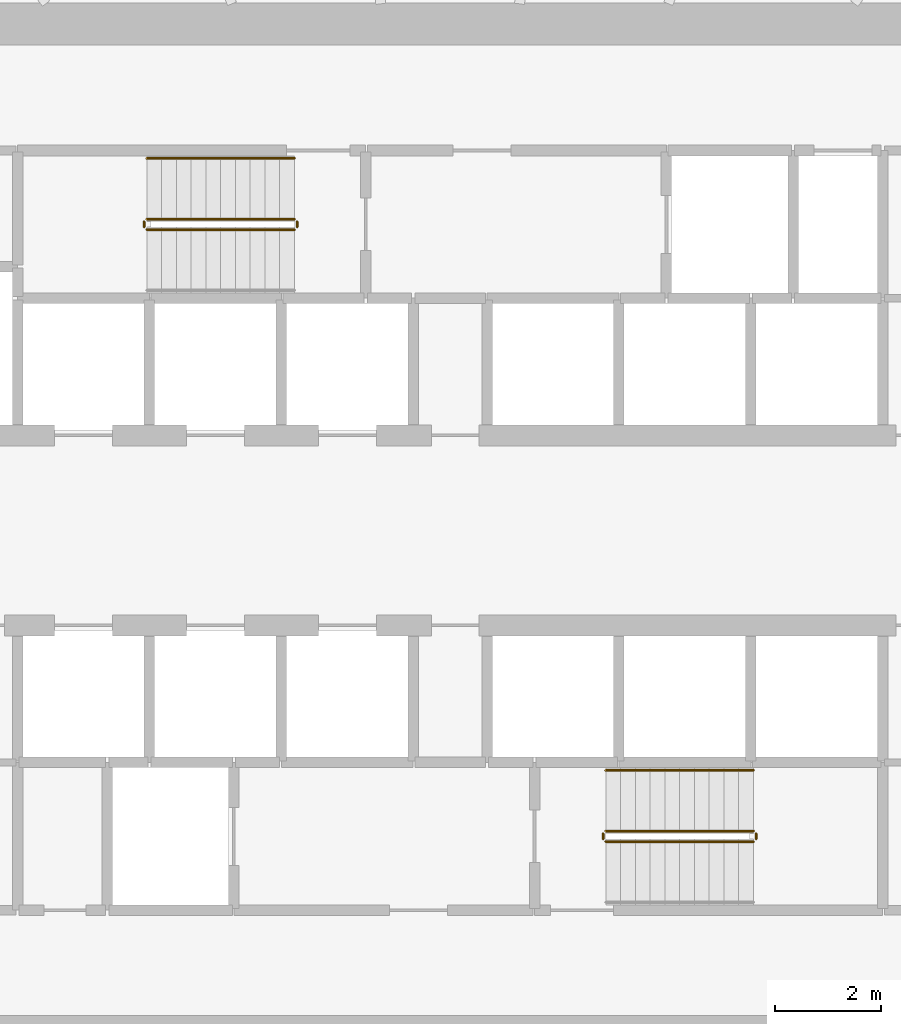
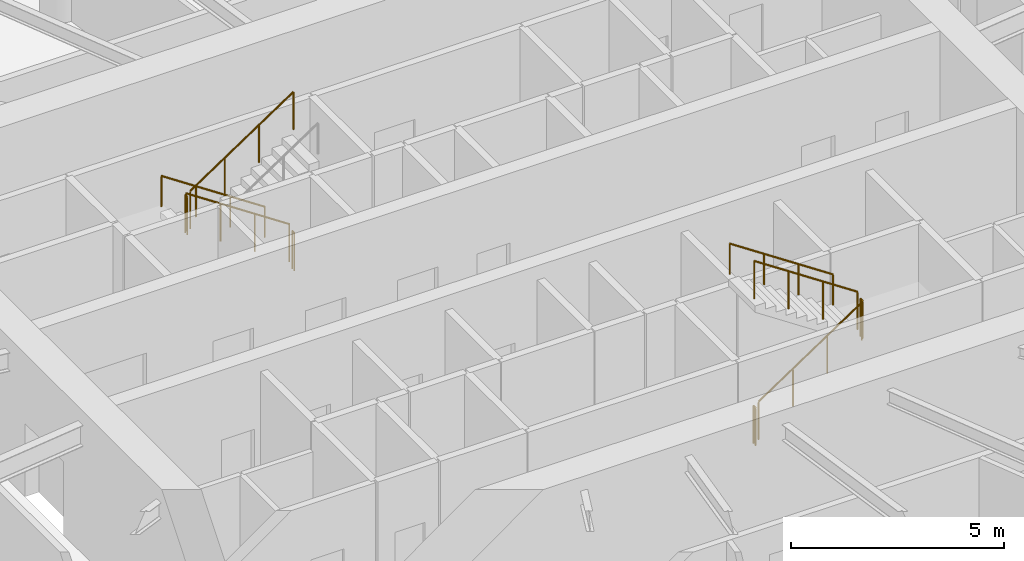
# One storey, part 16 of 17: 10 railings.
"""IFC4 building model written with IfcOpenShell, lengths in metres."""

from ifc_helpers import new_model, si_unit, direction, frame, origin, origin_2d, place, context, subcontext, project, spatial, circle, extrude, material, type_object, element, save


model = new_model("IFC4")

# Units and contexts
model_context = context("Model", 3, precision=1e-05, world=origin(), true_north=direction((0.0, 1.0)))
body_context = subcontext(model_context, "Body", "Model", "MODEL_VIEW")
ifc_project = project(units=[si_unit("LENGTHUNIT", "METRE"), si_unit("AREAUNIT", "SQUARE_METRE"), si_unit("VOLUMEUNIT", "CUBIC_METRE"), si_unit("PLANEANGLEUNIT", "RADIAN"), si_unit("MASSUNIT", "GRAM", prefix="KILO")], contexts=[model_context])

# Site, building, storey
site_placement = place(None, origin())
site = spatial("IfcSite", under=ifc_project, at=site_placement, CompositionType="ELEMENT")
building_placement = place(site_placement, origin())
building = spatial("IfcBuilding", under=site, at=building_placement, Name="Spindrift Exchange Tower", CompositionType="ELEMENT")
storey_placement = place(building_placement, frame((0.0, 0.0, 112.60009765625)))
storey = spatial("IfcBuildingStorey", under=building, at=storey_placement, Name="L26", CompositionType="ELEMENT", Elevation=112.60009765625)

# Railings
ifc_material_1 = material(Name="Steel balustrade", Category="steel")
railing_type_1 = type_object("IfcRailingType", Name="RL-STAIR-GUARD", PredefinedType="GUARDRAIL", material=ifc_material_1)
railing_1_placement = place(storey_placement, frame((49.050048828125, 53.89990234375, 0.186279296875)))
element("IfcRailing", 1, at=railing_1_placement, inside=storey, type_object=railing_type_1, Name="L26 ST1 stair guard 1", PredefinedType="GUARDRAIL", context=body_context, shape_type="SweptSolid", body=[
    extrude(circle(Radius=0.02392578125, at=origin_2d()), frame((0.0, 0.0, 1.076171875), z_axis=(-0.832485552168, 0.0, 0.554046753832), x_axis=(0.0, -1.0, 0.0)), (0.0, 0.0, 1.0), 3.363525390625),
    extrude(circle(Radius=0.02099609375, at=origin_2d()), origin(), (0.0, 0.0, 1.0), 1.052001953125),
    extrude(circle(Radius=0.02099609375, at=origin_2d()), frame((-0.933349609375, 0.0, 0.62109375)), (0.0, 0.0, 1.0), 1.052001953125),
    extrude(circle(Radius=0.02099609375, at=origin_2d()), frame((-1.86669921875, 0.0, 1.242431640625)), (0.0, 0.0, 1.0), 1.052001953125),
    extrude(circle(Radius=0.02099609375, at=origin_2d()), frame((-2.800048828125, 0.0, 1.863525390625)), (0.0, 0.0, 1.0), 1.052001953125),
])
railing_2_placement = place(storey_placement, frame((46.199951171875, 53.85009765625, 2.0498046875)))
element("IfcRailing", 2, at=railing_2_placement, inside=storey, type_object=railing_type_1, Name="L26 ST1 stair guard 2", PredefinedType="GUARDRAIL", context=body_context, shape_type="SweptSolid", body=[
    extrude(circle(Radius=0.02392578125, at=origin_2d()), frame((0.0, 0.0, 1.076171875), z_axis=(0.0, -1.0, 0.0), x_axis=(1.0, 0.0, 0.0)), (0.0, 0.0, 1.0), 0.10009765625),
    extrude(circle(Radius=0.02099609375, at=origin_2d()), origin(), (0.0, 0.0, 1.0), 1.052001953125),
    extrude(circle(Radius=0.02099609375, at=origin_2d()), frame((0.0, -0.10009765625, 0.0)), (0.0, 0.0, 1.0), 1.052001953125),
])
railing_3_placement = place(storey_placement, frame((46.25, 53.699951171875, 2.236328125)))
element("IfcRailing", 3, at=railing_3_placement, inside=storey, type_object=railing_type_1, Name="L26 ST1 stair guard 3", PredefinedType="GUARDRAIL", context=body_context, shape_type="SweptSolid", body=[
    extrude(circle(Radius=0.02392578125, at=origin_2d()), frame((0.0, 0.0, 1.076171875), z_axis=(0.832485552168, 0.0, 0.554046753832), x_axis=(0.0, 1.0, 0.0)), (0.0, 0.0, 1.0), 3.363525390625),
    extrude(circle(Radius=0.02099609375, at=origin_2d()), origin(), (0.0, 0.0, 1.0), 1.052001953125),
    extrude(circle(Radius=0.02099609375, at=origin_2d()), frame((0.933349609375, 0.0, 0.62109375)), (0.0, 0.0, 1.0), 1.052001953125),
    extrude(circle(Radius=0.02099609375, at=origin_2d()), frame((1.86669921875, 0.0, 1.242431640625)), (0.0, 0.0, 1.0), 1.052001953125),
    extrude(circle(Radius=0.02099609375, at=origin_2d()), frame((2.800048828125, 0.0, 1.863525390625)), (0.0, 0.0, 1.0), 1.052001953125),
])
railing_4_placement = place(storey_placement, frame((49.10009765625, 53.85009765625, 0.0)))
element("IfcRailing", 4, at=railing_4_placement, inside=storey, type_object=railing_type_1, Name="L26 ST1 stair guard 4", PredefinedType="GUARDRAIL", context=body_context, shape_type="SweptSolid", body=[
    extrude(circle(Radius=0.02392578125, at=origin_2d()), frame((0.0, 0.0, 1.076171875), z_axis=(0.0, -1.0, 0.0), x_axis=(1.0, 0.0, 0.0)), (0.0, 0.0, 1.0), 0.10009765625),
    extrude(circle(Radius=0.02099609375, at=origin_2d()), origin(), (0.0, 0.0, 1.0), 1.052001953125),
    extrude(circle(Radius=0.02099609375, at=origin_2d()), frame((0.0, -0.10009765625, 0.0)), (0.0, 0.0, 1.0), 1.052001953125),
])
railing_5_placement = place(storey_placement, frame((54.949951171875, 42.10009765625, 0.186279296875)))
element("IfcRailing", 5, at=railing_5_placement, inside=storey, type_object=railing_type_1, Name="L26 ST2 stair guard 1", PredefinedType="GUARDRAIL", context=body_context, shape_type="SweptSolid", body=[
    extrude(circle(Radius=0.02392578125, at=origin_2d()), frame((0.0, 0.0, 1.076171875), z_axis=(0.832485552168, 0.0, 0.554046753832), x_axis=(0.0, 1.0, 0.0)), (0.0, 0.0, 1.0), 3.363525390625),
    extrude(circle(Radius=0.02099609375, at=origin_2d()), origin(), (0.0, 0.0, 1.0), 1.052001953125),
    extrude(circle(Radius=0.02099609375, at=origin_2d()), frame((0.933349609375, 0.0, 0.62109375)), (0.0, 0.0, 1.0), 1.052001953125),
    extrude(circle(Radius=0.02099609375, at=origin_2d()), frame((1.86669921875, 0.0, 1.242431640625)), (0.0, 0.0, 1.0), 1.052001953125),
    extrude(circle(Radius=0.02099609375, at=origin_2d()), frame((2.800048828125, 0.0, 1.863525390625)), (0.0, 0.0, 1.0), 1.052001953125),
])
railing_6_placement = place(storey_placement, frame((57.800048828125, 42.14990234375, 2.0498046875)))
element("IfcRailing", 6, at=railing_6_placement, inside=storey, type_object=railing_type_1, Name="L26 ST2 stair guard 2", PredefinedType="GUARDRAIL", context=body_context, shape_type="SweptSolid", body=[
    extrude(circle(Radius=0.02392578125, at=origin_2d()), frame((0.0, 0.0, 1.076171875), z_axis=(0.0, 1.0, 0.0), x_axis=(-1.0, 0.0, 0.0)), (0.0, 0.0, 1.0), 0.10009765625),
    extrude(circle(Radius=0.02099609375, at=origin_2d()), origin(), (0.0, 0.0, 1.0), 1.052001953125),
    extrude(circle(Radius=0.02099609375, at=origin_2d()), frame((0.0, 0.10009765625, 0.0)), (0.0, 0.0, 1.0), 1.052001953125),
])
railing_7_placement = place(storey_placement, frame((57.75, 42.300048828125, 2.236328125)))
element("IfcRailing", 7, at=railing_7_placement, inside=storey, type_object=railing_type_1, Name="L26 ST2 stair guard 3", PredefinedType="GUARDRAIL", context=body_context, shape_type="SweptSolid", body=[
    extrude(circle(Radius=0.02392578125, at=origin_2d()), frame((0.0, 0.0, 1.076171875), z_axis=(-0.832485552168, 0.0, 0.554046753832), x_axis=(0.0, -1.0, 0.0)), (0.0, 0.0, 1.0), 3.363525390625),
    extrude(circle(Radius=0.02099609375, at=origin_2d()), origin(), (0.0, 0.0, 1.0), 1.052001953125),
    extrude(circle(Radius=0.02099609375, at=origin_2d()), frame((-0.933349609375, 0.0, 0.62109375)), (0.0, 0.0, 1.0), 1.052001953125),
    extrude(circle(Radius=0.02099609375, at=origin_2d()), frame((-1.86669921875, 0.0, 1.242431640625)), (0.0, 0.0, 1.0), 1.052001953125),
    extrude(circle(Radius=0.02099609375, at=origin_2d()), frame((-2.800048828125, 0.0, 1.863525390625)), (0.0, 0.0, 1.0), 1.052001953125),
])
railing_8_placement = place(storey_placement, frame((54.89990234375, 42.14990234375, 0.0)))
element("IfcRailing", 8, at=railing_8_placement, inside=storey, type_object=railing_type_1, Name="L26 ST2 stair guard 4", PredefinedType="GUARDRAIL", context=body_context, shape_type="SweptSolid", body=[
    extrude(circle(Radius=0.02392578125, at=origin_2d()), frame((0.0, 0.0, 1.076171875), z_axis=(0.0, 1.0, 0.0), x_axis=(-1.0, 0.0, 0.0)), (0.0, 0.0, 1.0), 0.10009765625),
    extrude(circle(Radius=0.02099609375, at=origin_2d()), origin(), (0.0, 0.0, 1.0), 1.052001953125),
    extrude(circle(Radius=0.02099609375, at=origin_2d()), frame((0.0, 0.10009765625, 0.0)), (0.0, 0.0, 1.0), 1.052001953125),
])
ifc_material_2 = material(Name="Steel tubular handrail", Category="steel")
railing_type_2 = type_object("IfcRailingType", Name="RL-STAIR-HAND", PredefinedType="HANDRAIL", material=ifc_material_2)
for number, where, name in (
    (9, (49.050048828125, 55.050048828125, 0.186279296875), "L26 ST1 stair handrail 1"),
    (10, (57.75, 43.449951171875, 2.236328125), "L26 ST2 stair handrail 2"),
):
    element("IfcRailing", number, at=place(storey_placement, frame(where)), inside=storey, type_object=railing_type_2, Name=name, PredefinedType="HANDRAIL", context=body_context, shape_type="SweptSolid", body=[
        extrude(circle(Radius=0.02392578125, at=origin_2d()), frame((0.0, 0.0, 0.8759765625), z_axis=(-0.832485552168, 0.0, 0.554046753832), x_axis=(0.0, -1.0, 0.0)), (0.0, 0.0, 1.0), 3.363525390625),
        extrude(circle(Radius=0.02099609375, at=origin_2d()), origin(), (0.0, 0.0, 1.0), 0.851806640625),
        extrude(circle(Radius=0.02099609375, at=origin_2d()), frame((-0.933349609375, 0.0, 0.62109375)), (0.0, 0.0, 1.0), 0.851806640625),
        extrude(circle(Radius=0.02099609375, at=origin_2d()), frame((-1.86669921875, 0.0, 1.242431640625)), (0.0, 0.0, 1.0), 0.851806640625),
        extrude(circle(Radius=0.02099609375, at=origin_2d()), frame((-2.800048828125, 0.0, 1.863525390625)), (0.0, 0.0, 1.0), 0.851806640625),
    ])

save(model, "model.ifc")
